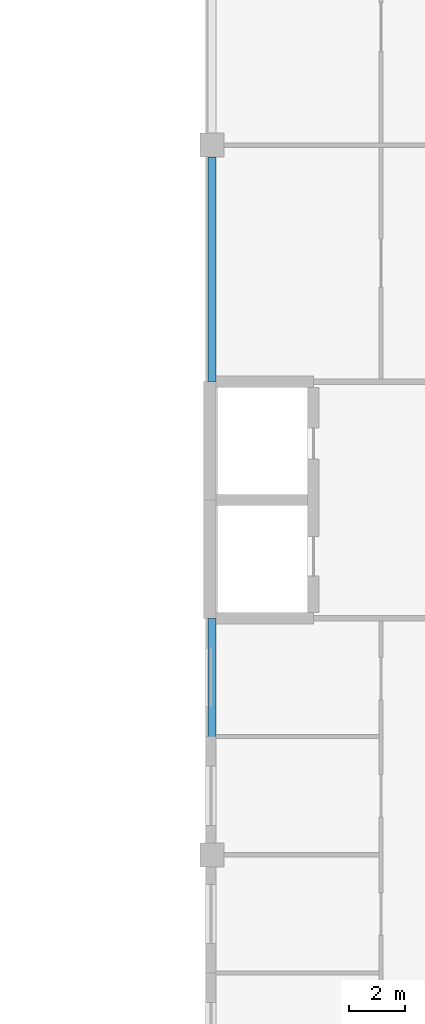
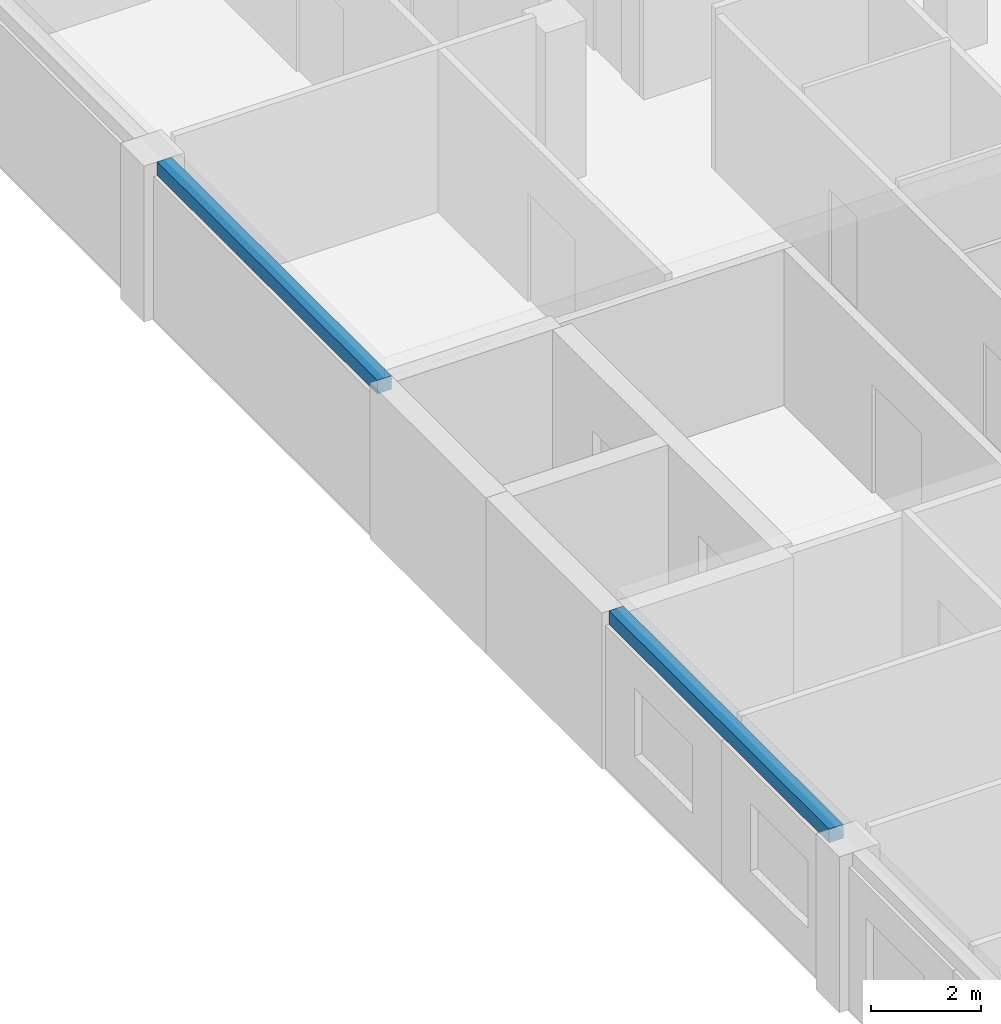
# One storey, part 39 of 94: 2 beams.
"""IFC4 building model written with IfcOpenShell, lengths in metres."""

from ifc_helpers import new_model, si_unit, direction, frame, origin, origin_2d, place, context, subcontext, project, spatial, rectangle, extrude, material, material_profile, profile_set, type_object, element, save


model = new_model("IFC4")

# Units and contexts
model_context = context("Model", 3, precision=1e-05, world=origin(), true_north=direction((0.0, 1.0)))
body_context = subcontext(model_context, "Body", "Model", "MODEL_VIEW")
ifc_project = project(units=[si_unit("LENGTHUNIT", "METRE"), si_unit("AREAUNIT", "SQUARE_METRE"), si_unit("VOLUMEUNIT", "CUBIC_METRE"), si_unit("PLANEANGLEUNIT", "RADIAN"), si_unit("MASSUNIT", "GRAM", prefix="KILO")], contexts=[model_context])

# Site, building, storey
site_placement = place(None, origin())
site = spatial("IfcSite", under=ifc_project, at=site_placement, CompositionType="ELEMENT")
building_placement = place(site_placement, origin())
building = spatial("IfcBuilding", under=site, at=building_placement, Name="Yavir Park General Hospital", CompositionType="ELEMENT")
storey_placement = place(building_placement, frame((0.0, 0.0, 4.5)))
storey = spatial("IfcBuildingStorey", under=building, at=storey_placement, Name="L01", CompositionType="ELEMENT", Elevation=4.5)

# Beams
ifc_material = material(Name="Concrete C35/45", Category="concrete")
ifc_material_profile = material_profile(ifc_material, rectangle(XDim=0.300048828125, YDim=0.300048828125, at=origin_2d()), Name="RC300x300")
ifc_profile_set = profile_set([ifc_material_profile], Name="Concrete C35/45")
beam_type = type_object("IfcBeamType", Name="RC BEAM 300x300 edge beam", PredefinedType="BEAM", material=ifc_profile_set)
for number, where, z_axis, x_axis, name in (
    (1, (142.800048828125, 67.625, 3.300048828125), (0.0, 1.0, 0.0), (-1.0, 0.0, 0.0), "B:EDGE:L01:050"),
    (2, (142.800048828125, 84.0, 3.300048828125), (0.0, 1.0, 0.0), (-1.0, 0.0, 0.0), "B:EDGE:L01:051"),
):
    element("IfcBeam", number, at=place(storey_placement, frame(where, z_axis=z_axis, x_axis=x_axis)), inside=storey, type_object=beam_type, Name=name, PredefinedType="BEAM", context=body_context, shape_type="SweptSolid", body=[
        extrude(rectangle(XDim=0.300048828125, YDim=0.300048828125, at=origin_2d()), origin(), (0.0, 0.0, 1.0), 7.97509765625),
    ])

save(model, "model.ifc")
